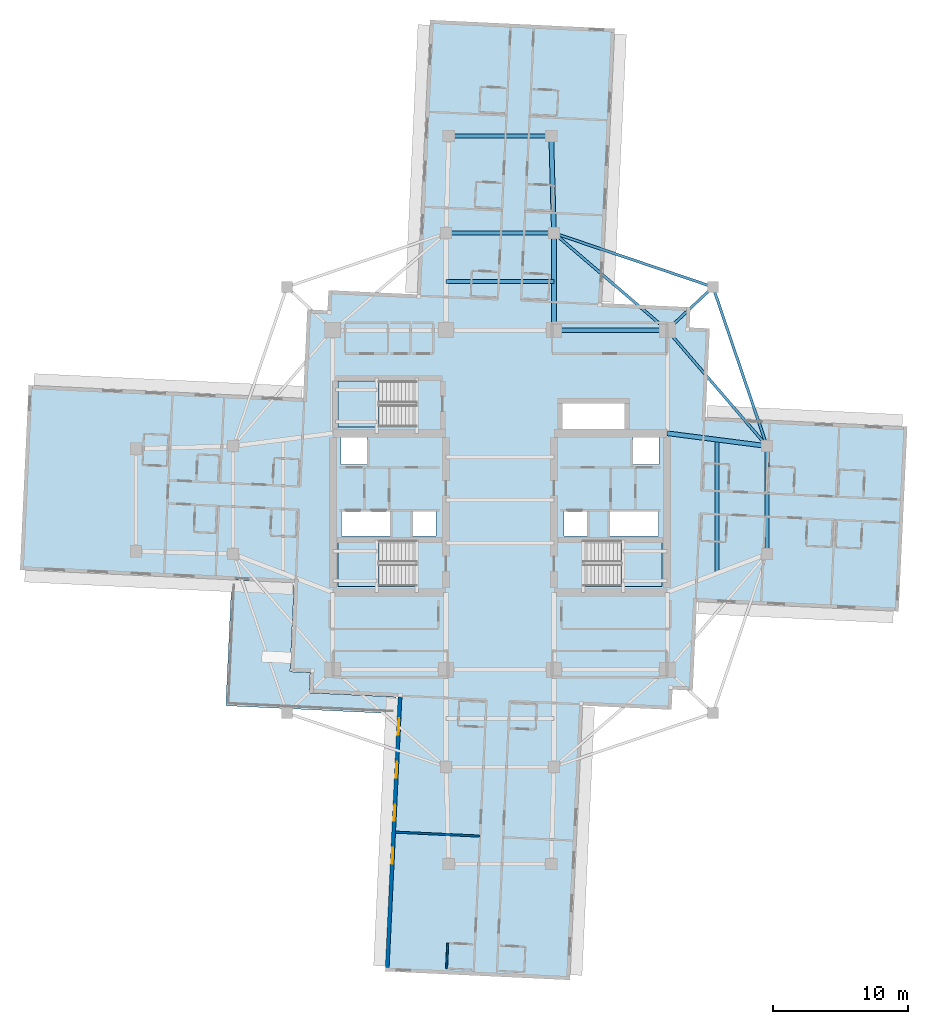
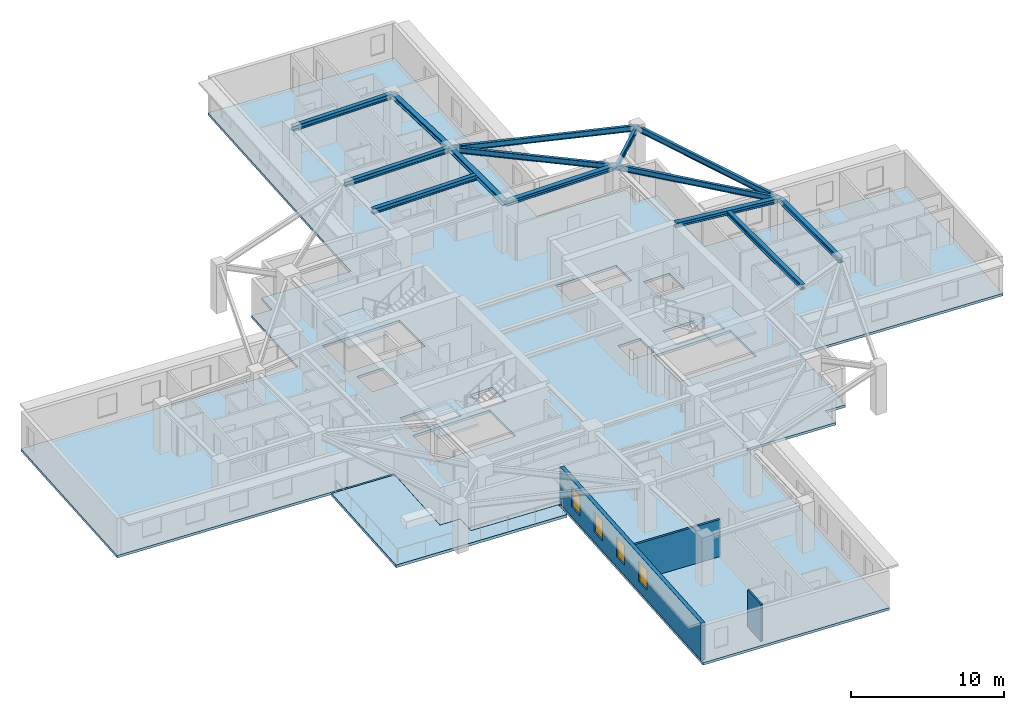
# One storey, part 2 of 14: 14 beams, 5 slabs, 4 windows, 3 walls, 4 openings, 3 elements without a shape of their own.
"""IFC4 building model written with IfcOpenShell, lengths in metres."""

from ifc_helpers import new_model, si_unit, direction, frame, frame_2d, origin, origin_2d, place, context, subcontext, project, spatial, polyline, rectangle, i_section, outline, extrude, material, layer, layer_set, material_profile, profile_set, type_object, element, fill, aggregate, save


model = new_model("IFC4")

# Units and contexts
model_context = context("Model", 3, precision=1e-05, world=origin(), true_north=direction((0.0, 1.0)))
body_context = subcontext(model_context, "Body", "Model", "MODEL_VIEW")
ifc_project = project(units=[si_unit("LENGTHUNIT", "METRE"), si_unit("AREAUNIT", "SQUARE_METRE"), si_unit("VOLUMEUNIT", "CUBIC_METRE"), si_unit("PLANEANGLEUNIT", "RADIAN"), si_unit("MASSUNIT", "GRAM", prefix="KILO")], contexts=[model_context])

# Site, building, storey
site_placement = place(None, origin())
site = spatial("IfcSite", under=ifc_project, at=site_placement, CompositionType="ELEMENT")
building_placement = place(site_placement, origin())
building = spatial("IfcBuilding", under=site, at=building_placement, Name="Qingluan Cross Belvedere", CompositionType="ELEMENT")
storey_placement = place(building_placement, frame((0.0, 0.0, 156.60009765625)))
storey = spatial("IfcBuildingStorey", under=building, at=storey_placement, Name="L39", CompositionType="ELEMENT", Elevation=156.60009765625)

# Beams
ifc_material_1 = material(Name="Steel Q420GJB", Category="steel")
ifc_material_profile_1 = material_profile(ifc_material_1, i_section(OverallWidth=0.300048828125, OverallDepth=0.389892578125, WebThickness=0.010009765625, FlangeThickness=0.01611328125, FilletRadius=0.01806640625, at=origin_2d()), Name="HM390x300x10x16")
ifc_profile_set_1 = profile_set([ifc_material_profile_1], Name="Steel Q420GJB")
beam_type_1 = type_object("IfcBeamType", Name="Steel_Beam_HM390x300x10x16", PredefinedType="BEAM", material=ifc_profile_set_1)
beam_1_placement = place(storey_placement, frame((19.800048828125, -4.0, 3.5048828125), z_axis=(0.0, 1.0, 0.0), x_axis=(-1.0, 0.0, 0.0)))
element("IfcBeam", 1, at=beam_1_placement, inside=storey, type_object=beam_type_1, Name="Arm E tie L39", PredefinedType="BEAM", context=body_context, shape_type="SweptSolid", body=[
    extrude(i_section(OverallWidth=0.300048828125, OverallDepth=0.389892578125, WebThickness=0.010009765625, FlangeThickness=0.01611328125, FilletRadius=0.01806640625, at=origin_2d()), origin(), (0.0, 0.0, 1.0), 8.0),
])
beam_2_placement = place(storey_placement, frame((16.10009765625, -5.425048828125, 3.5048828125), z_axis=(0.0, 1.0, 0.0), x_axis=(-1.0, 0.0, 0.0)))
element("IfcBeam", 2, at=beam_2_placement, inside=storey, type_object=beam_type_1, Name="Arm E beam L39", PredefinedType="BEAM", context=body_context, shape_type="SweptSolid", body=[
    extrude(i_section(OverallWidth=0.300048828125, OverallDepth=0.389892578125, WebThickness=0.010009765625, FlangeThickness=0.01611328125, FilletRadius=0.01806640625, at=origin_2d()), origin(), (0.0, 0.0, 1.0), 9.900146484375),
])
for number, where, z_axis, x_axis, name in (
    (3, (-4.0, 19.800048828125, 3.5048828125), (1.0, 0.0, 0.0), (0.0, 1.0, 0.0), "Arm N tie L39"),
    (4, (-4.0, 16.199951171875, 3.5048828125), (1.0, 0.0, 0.0), (0.0, 1.0, 0.0), "Arm N beam L39"),
):
    element("IfcBeam", number, at=place(storey_placement, frame(where, z_axis=z_axis, x_axis=x_axis)), inside=storey, type_object=beam_type_1, Name=name, PredefinedType="BEAM", context=body_context, shape_type="SweptSolid", body=[
        extrude(i_section(OverallWidth=0.300048828125, OverallDepth=0.389892578125, WebThickness=0.010009765625, FlangeThickness=0.01611328125, FilletRadius=0.01806640625, at=origin_2d()), origin(), (0.0, 0.0, 1.0), 8.0),
    ])
beam_3_placement = place(storey_placement, frame((-3.800048828125, 27.0, 3.5048828125), z_axis=(1.0, 0.0, 0.0), x_axis=(0.0, 1.0, 0.0)))
element("IfcBeam", 5, at=beam_3_placement, inside=storey, type_object=beam_type_1, Name="Arm N tip transverse beam L39", PredefinedType="BEAM", context=body_context, shape_type="SweptSolid", body=[
    extrude(i_section(OverallWidth=0.300048828125, OverallDepth=0.389892578125, WebThickness=0.010009765625, FlangeThickness=0.01611328125, FilletRadius=0.01806640625, at=origin_2d()), origin(), (0.0, 0.0, 1.0), 7.60009765625),
])
ifc_material_2 = material(Name="Steel Q420GJB", Category="steel")
ifc_material_profile_2 = material_profile(ifc_material_2, i_section(OverallWidth=0.199951171875, OverallDepth=0.449951171875, WebThickness=0.009033203125, FlangeThickness=0.013916015625, FilletRadius=0.01611328125, at=origin_2d()), Name="HN450x200x9x14")
ifc_profile_set_2 = profile_set([ifc_material_profile_2], Name="Steel Q420GJB")
beam_type_2 = type_object("IfcBeamType", Name="Steel_Beam_HN450x200x9x14", PredefinedType="JOIST", material=ifc_profile_set_2)
beam_4_placement = place(storey_placement, frame((12.39990234375, 12.60009765625, 3.474853515625), z_axis=(0.728219948308, 0.685343495546, 0.0), x_axis=(-0.685343495546, 0.728219948308, 0.0)))
element("IfcBeam", 6, at=beam_4_placement, inside=storey, type_object=beam_type_2, Name="Corner beam 1 L39-RNE", PredefinedType="JOIST", context=body_context, shape_type="SweptSolid", body=[
    extrude(i_section(OverallWidth=0.199951171875, OverallDepth=0.449951171875, WebThickness=0.009033203125, FlangeThickness=0.013916015625, FilletRadius=0.01611328125, at=origin_2d()), origin(), (0.0, 0.0, 1.0), 4.669189453125),
])
for number, where, z_axis, x_axis, name in (
    (7, (15.800048828125, 15.800048828125, 3.474853515625), (-0.947066283324, 0.321038089628, 0.0), (-0.321038089628, -0.947066283324, 0.0), "Corner beam 2 L39-RNE"),
    (8, (15.800048828125, 15.800048828125, 3.474853515625), (0.321038089628, -0.947066283324, 0.0), (0.947066283324, 0.321038089628, 0.0), "Corner beam 3 L39-RNE"),
):
    element("IfcBeam", number, at=place(storey_placement, frame(where, z_axis=z_axis, x_axis=x_axis)), inside=storey, type_object=beam_type_2, Name=name, PredefinedType="JOIST", context=body_context, shape_type="SweptSolid", body=[
        extrude(i_section(OverallWidth=0.199951171875, OverallDepth=0.449951171875, WebThickness=0.009033203125, FlangeThickness=0.013916015625, FilletRadius=0.01611328125, at=origin_2d()), origin(), (0.0, 0.0, 1.0), 12.45947265625),
    ])
beam_5_placement = place(storey_placement, frame((12.39990234375, 12.60009765625, 3.474853515625), z_axis=(0.652245077546, -0.75800815221, 0.0), x_axis=(0.75800815221, 0.652245077546, 0.0)))
element("IfcBeam", 9, at=beam_5_placement, inside=storey, type_object=beam_type_2, Name="Corner beam 4 L39-RNE", PredefinedType="JOIST", context=body_context, shape_type="SweptSolid", body=[
    extrude(i_section(OverallWidth=0.199951171875, OverallDepth=0.449951171875, WebThickness=0.009033203125, FlangeThickness=0.013916015625, FilletRadius=0.01611328125, at=origin_2d()), origin(), (0.0, 0.0, 1.0), 11.345703125),
])
beam_6_placement = place(storey_placement, frame((12.39990234375, 12.60009765625, 3.474853515625), z_axis=(-0.759255044656, 0.650793190779, 0.0), x_axis=(-0.650793190779, -0.759255044656, 0.0)))
element("IfcBeam", 10, at=beam_6_placement, inside=storey, type_object=beam_type_2, Name="Corner beam 5 L39-RNE", PredefinedType="JOIST", context=body_context, shape_type="SweptSolid", body=[
    extrude(i_section(OverallWidth=0.199951171875, OverallDepth=0.449951171875, WebThickness=0.009033203125, FlangeThickness=0.013916015625, FilletRadius=0.01611328125, at=origin_2d()), origin(), (0.0, 0.0, 1.0), 11.063232421875),
])
ifc_material_3 = material(Name="Steel Q420GJB", Category="steel")
ifc_material_profile_3 = material_profile(ifc_material_3, i_section(OverallWidth=0.35009765625, OverallDepth=0.35009765625, WebThickness=0.011962890625, FlangeThickness=0.01904296875, FilletRadius=0.02001953125, at=origin_2d()), Name="HW350x350x12x19")
ifc_profile_set_3 = profile_set([ifc_material_profile_3], Name="Steel Q420GJB")
beam_type_3 = type_object("IfcBeamType", Name="Steel_Girder_HW350x350x12x19", PredefinedType="USERDEFINED", material=ifc_profile_set_3)
beam_7_placement = place(storey_placement, frame((4.0, 12.60009765625, 3.52490234375), z_axis=(1.0, 0.0, 0.0), x_axis=(0.0, 1.0, 0.0)))
element("IfcBeam", 11, at=beam_7_placement, inside=storey, type_object=beam_type_3, Name="Hub girder L39-HG-N3", ObjectType="GIRDER", PredefinedType="USERDEFINED", context=body_context, shape_type="SweptSolid", body=[
    extrude(i_section(OverallWidth=0.35009765625, OverallDepth=0.35009765625, WebThickness=0.011962890625, FlangeThickness=0.01904296875, FilletRadius=0.02001953125, at=origin_2d()), origin(), (0.0, 0.0, 1.0), 8.39990234375),
])
beam_8_placement = place(storey_placement, frame((12.39990234375, 4.949951171875, 3.52490234375), z_axis=(0.991861120628, -0.12732445714, 0.0), x_axis=(0.12732445714, 0.991861120628, 0.0)))
element("IfcBeam", 12, at=beam_8_placement, inside=storey, type_object=beam_type_3, Name="Arm E radial girder B L39", ObjectType="GIRDER", PredefinedType="USERDEFINED", context=body_context, shape_type="SweptSolid", body=[
    extrude(i_section(OverallWidth=0.35009765625, OverallDepth=0.35009765625, WebThickness=0.011962890625, FlangeThickness=0.01904296875, FilletRadius=0.02001953125, at=origin_2d()), origin(), (0.0, 0.0, 1.0), 7.4609375),
])
beam_9_placement = place(storey_placement, frame((4.0, 12.60009765625, 3.52490234375), z_axis=(0.0, 1.0, 0.0), x_axis=(-1.0, 0.0, 0.0)))
element("IfcBeam", 13, at=beam_9_placement, inside=storey, type_object=beam_type_3, Name="Arm N radial girder B L39", ObjectType="GIRDER", PredefinedType="USERDEFINED", context=body_context, shape_type="SweptSolid", body=[
    extrude(i_section(OverallWidth=0.35009765625, OverallDepth=0.35009765625, WebThickness=0.011962890625, FlangeThickness=0.01904296875, FilletRadius=0.02001953125, at=origin_2d()), origin(), (0.0, 0.0, 1.0), 7.199951171875),
])
beam_10_placement = place(storey_placement, frame((4.0, 19.800048828125, 3.52490234375), z_axis=(-0.027760481514, 0.999614603568, 0.0), x_axis=(-0.999614603568, -0.027760481514, 0.0)))
element("IfcBeam", 14, at=beam_10_placement, inside=storey, type_object=beam_type_3, Name="Arm N outer radial girder B L39", ObjectType="GIRDER", PredefinedType="USERDEFINED", context=body_context, shape_type="SweptSolid", body=[
    extrude(i_section(OverallWidth=0.35009765625, OverallDepth=0.35009765625, WebThickness=0.011962890625, FlangeThickness=0.01904296875, FilletRadius=0.02001953125, at=origin_2d()), origin(), (0.0, 0.0, 1.0), 7.20263671875),
])

# Slab
ifc_material_4 = material(Name="Concrete C40", Category="concrete")
ifc_layer_1 = layer(ifc_material_4, 0.199951171875, Name="FloorSlab_200")
ifc_layer_set_1 = layer_set([ifc_layer_1], Name="Concrete C40")
slab_type_1 = type_object("IfcSlabType", Name="FloorSlab_200", PredefinedType="FLOOR", material=ifc_layer_set_1)
slab_1_placement = place(storey_placement, frame((0.0, 0.0, -0.2001953125)))
element("IfcSlab", 15, at=slab_1_placement, inside=storey, type_object=slab_type_1, Name="Structural floor slab L39", PredefinedType="FLOOR", context=body_context, shape_type="SweptSolid", body=[
    extrude(outline(polyline([(5.188720703125, -35.60400390625), (6.148681640625, -15.24658203125), (12.72119140625, -15.556396484375), (12.7919921875, -14.05810546875), (14.290283203125, -14.12890625), (14.600341796875, -7.55615234375), (29.563720703125, -8.26171875), (30.2099609375, 5.443115234375), (15.24658203125, 6.148681640625), (15.556396484375, 12.72119140625), (14.05810546875, 12.7919921875), (14.12890625, 14.290283203125), (7.55615234375, 14.600341796875), (8.51611328125, 34.95751953125), (-5.188720703125, 35.60400390625), (-6.148681640625, 15.24658203125), (-12.72119140625, 15.556396484375), (-12.7919921875, 14.05810546875), (-14.290283203125, 14.12890625), (-14.600341796875, 7.55615234375), (-34.95751953125, 8.51611328125), (-35.60400390625, -5.188720703125), (-15.24658203125, -6.148681640625), (-15.556396484375, -12.72119140625), (-14.05810546875, -12.7919921875), (-14.12890625, -14.290283203125), (-7.55615234375, -14.600341796875), (-8.51611328125, -34.95751953125), (5.188720703125, -35.60400390625)]), holes=[polyline([(-12.0, -3.0), (-6.179931640625, -3.0), (-6.179931640625, -6.39990234375), (-12.0, -6.39990234375), (-12.0, -3.0)]), polyline([(6.179931640625, -3.0), (12.0, -3.0), (12.0, -6.39990234375), (6.179931640625, -6.39990234375), (6.179931640625, -3.0)]), polyline([(-12.0, 8.820068359375), (-6.179931640625, 8.820068359375), (-6.179931640625, 5.419921875), (-12.0, 5.419921875), (-12.0, 8.820068359375)]), polyline([(-11.800048828125, 4.64990234375), (-9.85009765625, 4.64990234375), (-9.85009765625, 2.64990234375), (-11.800048828125, 2.64990234375), (-11.800048828125, 4.64990234375)]), polyline([(9.85009765625, 4.64990234375), (11.800048828125, 4.64990234375), (11.800048828125, 2.64990234375), (9.85009765625, 2.64990234375), (9.85009765625, 4.64990234375)]), polyline([(-11.75, -0.840087890625), (-8.14990234375, -0.840087890625), (-8.14990234375, -2.659912109375), (-11.75, -2.659912109375), (-11.75, -0.840087890625)]), polyline([(-6.449951171875, -0.840087890625), (-4.75, -0.840087890625), (-4.75, -2.659912109375), (-6.449951171875, -2.659912109375), (-6.449951171875, -0.840087890625)]), polyline([(4.75, -0.840087890625), (6.449951171875, -0.840087890625), (6.449951171875, -2.659912109375), (4.75, -2.659912109375), (4.75, -0.840087890625)]), polyline([(8.14990234375, -0.840087890625), (11.75, -0.840087890625), (11.75, -2.659912109375), (8.14990234375, -2.659912109375), (8.14990234375, -0.840087890625)]), polyline([(4.64990234375, 7.14990234375), (9.25, 7.14990234375), (9.25, 5.14990234375), (4.64990234375, 5.14990234375), (4.64990234375, 7.14990234375)])]), origin(), (0.0, 0.0, 1.0), 0.2001953125),
])

# Stair, slab
ifc_material_5 = material(Name="Concrete C40", Category="concrete")
stair_type = type_object("IfcStairType", Name="CoreDoglegStair_1620", PredefinedType="HALF_TURN_STAIR", material=ifc_material_5)
stair_1_placement = place(storey_placement, origin())
stair_1 = element("IfcStair", 16, at=stair_1_placement, inside=storey, type_object=stair_type, Name="L39 ST1", PredefinedType="HALF_TURN_STAIR")
ifc_material_6 = material(Name="Concrete C40", Category="concrete")
ifc_layer_2 = layer(ifc_material_6, 0.179931640625, Name="StairLandingSlab_180")
ifc_layer_set_2 = layer_set([ifc_layer_2], Name="Concrete C40")
slab_type_2 = type_object("IfcSlabType", Name="StairLandingSlab_180", PredefinedType="LANDING", material=ifc_layer_set_2)
slab_2_placement = place(storey_placement, frame((0.0, 0.0, 1.75)))
slab_2 = element("IfcSlab", 17, at=slab_2_placement, type_object=slab_type_2, Name="ST1 landing 1", PredefinedType="LANDING", context=body_context, shape_type="SweptSolid", body=[
    extrude(outline(polyline([(-8.97998046875, -3.0), (-12.0, -3.0), (-12.0, -6.39990234375), (-8.97998046875, -6.39990234375), (-8.97998046875, -3.0)])), origin(), (0.0, 0.0, 1.0), 0.199951171875),
])
aggregate(stair_1, [slab_2])

stair_2_placement = place(storey_placement, origin())
stair_2 = element("IfcStair", 18, at=stair_2_placement, inside=storey, type_object=stair_type, Name="L39 ST2", PredefinedType="HALF_TURN_STAIR")
slab_3_placement = place(storey_placement, frame((0.0, 0.0, 1.75)))
slab_3 = element("IfcSlab", 19, at=slab_3_placement, type_object=slab_type_2, Name="ST2 landing 1", PredefinedType="LANDING", context=body_context, shape_type="SweptSolid", body=[
    extrude(outline(polyline([(8.97998046875, -6.39990234375), (12.0, -6.39990234375), (12.0, -3.0), (8.97998046875, -3.0), (8.97998046875, -6.39990234375)])), origin(), (0.0, 0.0, 1.0), 0.199951171875),
])
aggregate(stair_2, [slab_3])

stair_3_placement = place(storey_placement, origin())
stair_3 = element("IfcStair", 20, at=stair_3_placement, inside=storey, type_object=stair_type, Name="L39 ST3", PredefinedType="HALF_TURN_STAIR")
slab_4_placement = place(storey_placement, frame((0.0, 0.0, 1.75)))
slab_4 = element("IfcSlab", 21, at=slab_4_placement, type_object=slab_type_2, Name="ST3 landing 1", PredefinedType="LANDING", context=body_context, shape_type="SweptSolid", body=[
    extrude(outline(polyline([(-8.97998046875, 8.820068359375), (-12.0, 8.820068359375), (-12.0, 5.419921875), (-8.97998046875, 5.419921875), (-8.97998046875, 8.820068359375)])), origin(), (0.0, 0.0, 1.0), 0.199951171875),
])
aggregate(stair_3, [slab_4])

# Slab
ifc_material_7 = material(Name="Concrete C40", Category="concrete")
ifc_layer_3 = layer(ifc_material_7, 0.219970703125, Name="TerraceSlab_220")
ifc_layer_set_3 = layer_set([ifc_layer_3], Name="Concrete C40")
slab_type_3 = type_object("IfcSlabType", Name="TerraceSlab_220", PredefinedType="FLOOR", material=ifc_layer_set_3)
slab_5_placement = place(storey_placement, frame((0.0, 0.0, -0.22021484375)))
element("IfcSlab", 22, at=slab_5_placement, inside=storey, type_object=slab_type_3, Name="Spiralling winter-garden terrace slab L39", PredefinedType="FLOOR", context=body_context, shape_type="SweptSolid", body=[
    extrude(outline(polyline([(-7.696533203125, -14.603759765625), (-14.134765625, -14.29833984375), (-14.068603515625, -12.801513671875), (-15.556884765625, -12.731201171875), (-15.56640625, -12.722900390625), (-15.26318359375, -6.2880859375), (-19.907958984375, -6.06884765625), (-20.34130859375, -15.2587890625), (-7.75537109375, -15.852294921875), (-7.696533203125, -14.603759765625)])), origin(), (0.0, 0.0, 1.0), 0.22021484375),
])

# Walls
ifc_material_8 = material(Name="Gypsum plasterboard on steel stud acoustic partition", Category="steel")
ifc_layer_4 = layer(ifc_material_8, 0.159912109375, Name="CorridorPartition_160")
ifc_layer_set_4 = layer_set([ifc_layer_4], Name="Gypsum plasterboard on steel stud acoustic partition")
wall_type_1 = type_object("IfcWallType", Name="CorridorPartition_160", PredefinedType="PARTITIONING", material=ifc_layer_set_4)
wall_1_placement = place(storey_placement, frame((-1.47607421875, -24.93212890625, 0.0), z_axis=(0.0, 0.0, 1.0), x_axis=(-0.998890221468, 0.047099102485, 0.0)))
element("IfcWall", 23, at=wall_1_placement, inside=storey, type_object=wall_type_1, Name="Partition L39:S:d1_0", PredefinedType="PARTITIONING", context=body_context, shape_type="SweptSolid", body=[
    extrude(rectangle(XDim=6.272216796875, YDim=0.159912109375, at=frame_2d((3.13623046875, 0.0))), origin(), (0.0, 0.0, 1.0), 2.9599609375),
])
ifc_material_9 = material(Name="Moisture-resistant gypsum board lining")
ifc_layer_5 = layer(ifc_material_9, 0.1201171875, Name="EnsuiteWetPartition_120")
ifc_layer_set_5 = layer_set([ifc_layer_5], Name="Moisture-resistant gypsum board lining")
wall_type_2 = type_object("IfcWallType", Name="EnsuiteWetPartition_120", PredefinedType="PARTITIONING", material=ifc_layer_set_5)
wall_2_placement = place(storey_placement, frame((-3.8779296875, -32.873779296875, 0.0), z_axis=(0.0, 0.0, 1.0), x_axis=(-0.04700985207, -0.998894425757, 0.0)))
element("IfcWall", 24, at=wall_2_placement, inside=storey, type_object=wall_type_2, Name="Partition L39:S:bc1_1", PredefinedType="PARTITIONING", context=body_context, shape_type="SweptSolid", body=[
    extrude(rectangle(XDim=1.880126953125, YDim=0.1201171875, at=frame_2d((0.93994140625, 0.0))), origin(), (0.0, 0.0, 1.0), 2.9599609375),
])

# Wall, openings, windows
ifc_material_10 = material(Name="Precast concrete C45", Category="concrete")
ifc_layer_6 = layer(ifc_material_10, 0.280029296875, Name="PrecastFacadeWall_280")
ifc_layer_set_6 = layer_set([ifc_layer_6], Name="Precast concrete C45")
wall_type_3 = type_object("IfcWallType", Name="PrecastFacadeWall_280", PredefinedType="STANDARD", material=ifc_layer_set_6)
wall_3_placement = place(storey_placement, frame((-7.416259765625, -14.60693359375, 0.0), z_axis=(0.0, 0.0, 1.0), x_axis=(-0.047103473814, -0.998890015344, 0.0)))
wall_3 = element("IfcWall", 25, at=wall_3_placement, inside=storey, type_object=wall_type_3, Name="Facade wall L39-SA", PredefinedType="STANDARD", context=body_context, shape_type="SweptSolid", body=[
    extrude(rectangle(XDim=20.099853515625, YDim=0.280029296875, at=frame_2d((10.0498046875, 0.0))), origin(), (0.0, 0.0, 1.0), 2.969970703125),
])
opening_1_placement = place(wall_3_placement, frame((1.60009765625, 0.0, 0.800048828125)))
opening_1 = element("IfcOpeningElement", 26, at=opening_1_placement, cuts=wall_3, Name="Opening W-02", PredefinedType="OPENING", context=body_context, shape_type="SweptSolid", body=[
    extrude(rectangle(XDim=1.199951171875, YDim=1.60009765625, at=frame_2d((0.60009765625, 0.800048828125))), frame((0.0, 0.14990234375, 0.0), z_axis=(0.0, -1.0, 0.0), x_axis=(1.0, 0.0, 0.0)), (0.0, 0.0, 1.0), 0.300048828125),
])
opening_2_placement = place(wall_3_placement, frame((4.800048828125, 0.0, 0.800048828125)))
opening_2 = element("IfcOpeningElement", 27, at=opening_2_placement, cuts=wall_3, Name="Opening W-02", PredefinedType="OPENING", context=body_context, shape_type="SweptSolid", body=[
    extrude(rectangle(XDim=1.199951171875, YDim=1.60009765625, at=frame_2d((0.60009765625, 0.800048828125))), frame((0.0, 0.14990234375, 0.0), z_axis=(0.0, -1.0, 0.0), x_axis=(1.0, 0.0, 0.0)), (0.0, 0.0, 1.0), 0.300048828125),
])
opening_3_placement = place(wall_3_placement, frame((8.0, 0.0, 0.800048828125)))
opening_3 = element("IfcOpeningElement", 28, at=opening_3_placement, cuts=wall_3, Name="Opening W-02", PredefinedType="OPENING", context=body_context, shape_type="SweptSolid", body=[
    extrude(rectangle(XDim=1.199951171875, YDim=1.60009765625, at=frame_2d((0.60009765625, 0.800048828125))), frame((0.0, 0.14990234375, 0.0), z_axis=(0.0, -1.0, 0.0), x_axis=(1.0, 0.0, 0.0)), (0.0, 0.0, 1.0), 0.300048828125),
])
opening_4_placement = place(wall_3_placement, frame((11.199951171875, 0.0, 0.800048828125)))
opening_4 = element("IfcOpeningElement", 29, at=opening_4_placement, cuts=wall_3, Name="Opening W-02", PredefinedType="OPENING", context=body_context, shape_type="SweptSolid", body=[
    extrude(rectangle(XDim=1.199951171875, YDim=1.60009765625, at=frame_2d((0.60009765625, 0.800048828125))), frame((0.0, 0.14990234375, 0.0), z_axis=(0.0, -1.0, 0.0), x_axis=(1.0, 0.0, 0.0)), (0.0, 0.0, 1.0), 0.300048828125),
])
ifc_material_11 = material(Name="Thermally broken triple Low-E glass in aluminium frame", Category="aluminium")
window_type = type_object("IfcWindowType", Name="TriRibbonWin_1200x1600", PartitioningType="SINGLE_PANEL", PredefinedType="WINDOW", material=ifc_material_11)
window_1_placement = place(opening_1_placement, origin())
window_1 = element("IfcWindow", 30, at=window_1_placement, inside=storey, type_object=window_type, Name="Ribbon window L39-SA-1", OverallHeight=1.60009765625, OverallWidth=1.199951171875, PartitioningType="SINGLE_PANEL", PredefinedType="WINDOW", context=body_context, shape_type="SweptSolid", body=[
    extrude(rectangle(XDim=1.199951171875, YDim=1.60009765625, at=frame_2d((0.60009765625, 0.800048828125))), frame((0.0, 0.030029296875, 0.0), z_axis=(0.0, -1.0, 0.0), x_axis=(1.0, 0.0, 0.0)), (0.0, 0.0, 1.0), 0.06005859375),
])
fill(opening_1, window_1)
window_2_placement = place(opening_2_placement, origin())
window_2 = element("IfcWindow", 31, at=window_2_placement, inside=storey, type_object=window_type, Name="Ribbon window L39-SA-2", OverallHeight=1.60009765625, OverallWidth=1.199951171875, PartitioningType="SINGLE_PANEL", PredefinedType="WINDOW", context=body_context, shape_type="SweptSolid", body=[
    extrude(rectangle(XDim=1.199951171875, YDim=1.60009765625, at=frame_2d((0.60009765625, 0.800048828125))), frame((0.0, 0.030029296875, 0.0), z_axis=(0.0, -1.0, 0.0), x_axis=(1.0, 0.0, 0.0)), (0.0, 0.0, 1.0), 0.06005859375),
])
fill(opening_2, window_2)
window_3_placement = place(opening_3_placement, origin())
window_3 = element("IfcWindow", 32, at=window_3_placement, inside=storey, type_object=window_type, Name="Ribbon window L39-SA-3", OverallHeight=1.60009765625, OverallWidth=1.199951171875, PartitioningType="SINGLE_PANEL", PredefinedType="WINDOW", context=body_context, shape_type="SweptSolid", body=[
    extrude(rectangle(XDim=1.199951171875, YDim=1.60009765625, at=frame_2d((0.60009765625, 0.800048828125))), frame((0.0, 0.030029296875, 0.0), z_axis=(0.0, -1.0, 0.0), x_axis=(1.0, 0.0, 0.0)), (0.0, 0.0, 1.0), 0.06005859375),
])
fill(opening_3, window_3)
window_4_placement = place(opening_4_placement, origin())
window_4 = element("IfcWindow", 33, at=window_4_placement, inside=storey, type_object=window_type, Name="Ribbon window L39-SA-4", OverallHeight=1.60009765625, OverallWidth=1.199951171875, PartitioningType="SINGLE_PANEL", PredefinedType="WINDOW", context=body_context, shape_type="SweptSolid", body=[
    extrude(rectangle(XDim=1.199951171875, YDim=1.60009765625, at=frame_2d((0.60009765625, 0.800048828125))), frame((0.0, 0.030029296875, 0.0), z_axis=(0.0, -1.0, 0.0), x_axis=(1.0, 0.0, 0.0)), (0.0, 0.0, 1.0), 0.06005859375),
])
fill(opening_4, window_4)

save(model, "model.ifc")
